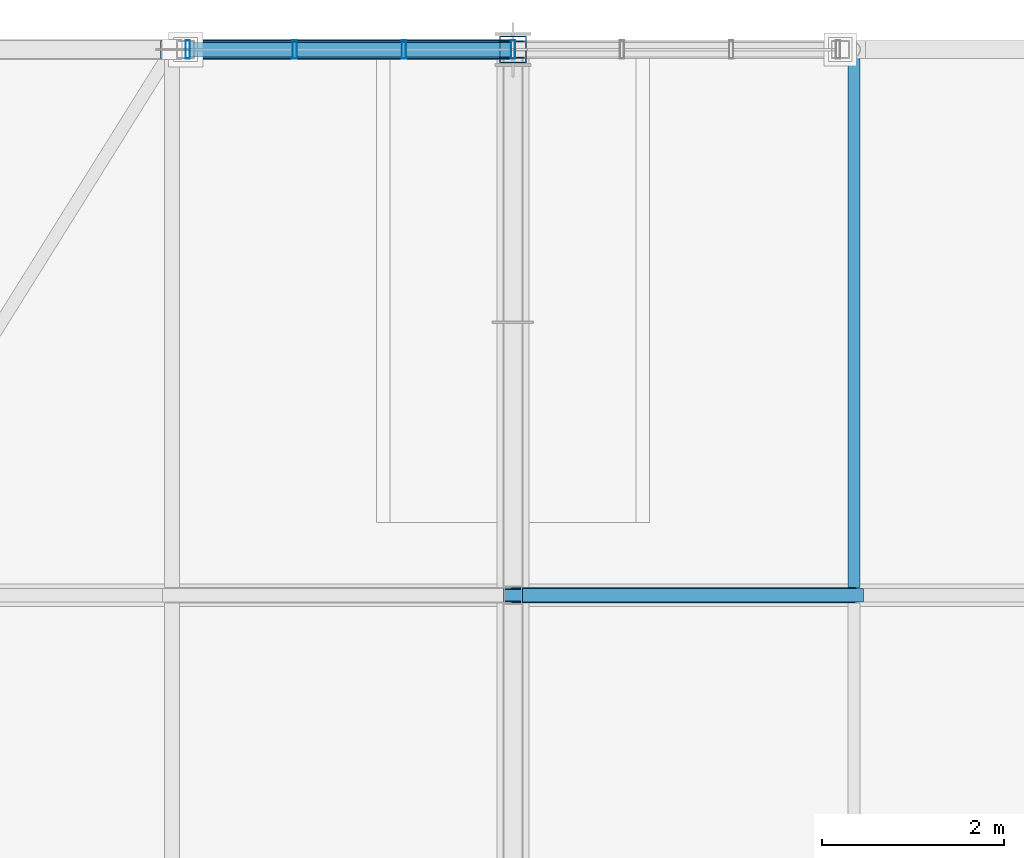
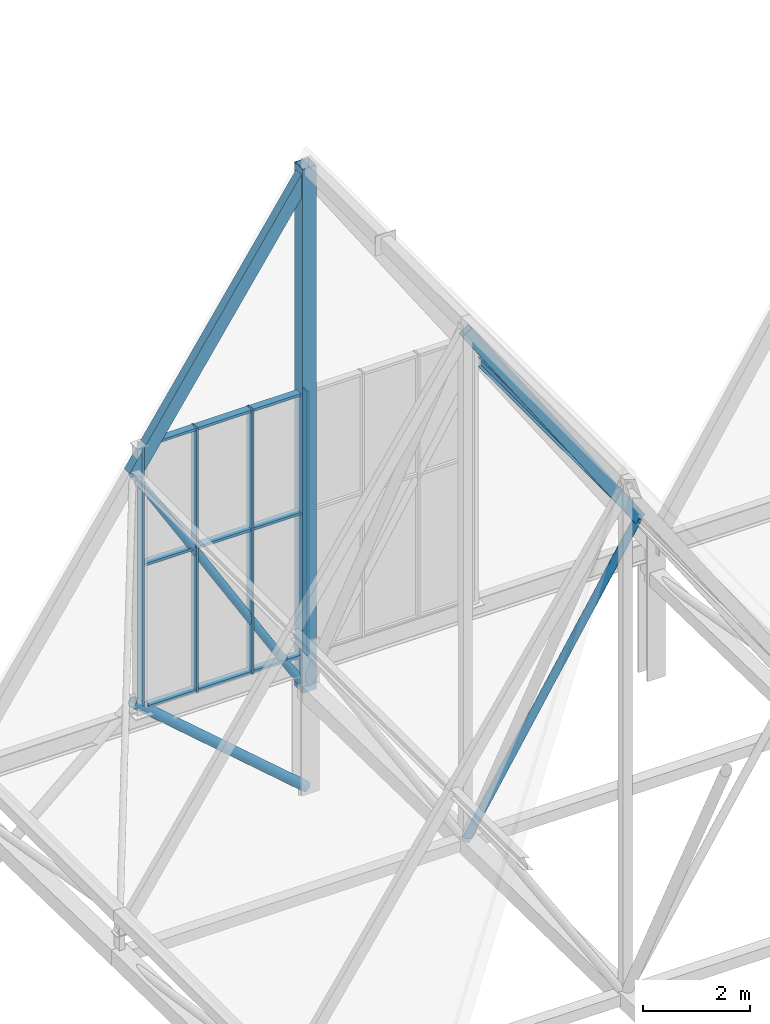
# One storey, part 108 of 324: 19 members, 1 beam, 1 element without a shape of its own.
"""IFC4 building model written with IfcOpenShell, lengths in metres."""

from ifc_helpers import new_model, si_unit, direction, frame, origin, origin_2d, place, context, subcontext, project, spatial, hollow_rectangle, hollow_circle, i_section, extrude, material, layer, layer_set, material_profile, profile_set, type_object, element, aggregate, save


model = new_model("IFC4")

# Units and contexts
model_context = context("Model", 3, precision=1e-05, world=origin(), true_north=direction((0.0, 1.0)))
body_context = subcontext(model_context, "Body", "Model", "MODEL_VIEW")
ifc_project = project(units=[si_unit("LENGTHUNIT", "METRE"), si_unit("AREAUNIT", "SQUARE_METRE"), si_unit("VOLUMEUNIT", "CUBIC_METRE"), si_unit("PLANEANGLEUNIT", "RADIAN"), si_unit("MASSUNIT", "GRAM", prefix="KILO")], contexts=[model_context])

# Site, building, storey
site_placement = place(None, origin())
site = spatial("IfcSite", under=ifc_project, at=site_placement, CompositionType="ELEMENT")
building_placement = place(site_placement, origin())
building = spatial("IfcBuilding", under=site, at=building_placement, Name="Solvenia Promenade Tram Depot", CompositionType="ELEMENT")
storey_placement = place(building_placement, frame((0.0, 0.0, 4.5)))
storey = spatial("IfcBuildingStorey", under=building, at=storey_placement, Name="L01", CompositionType="ELEMENT", Elevation=4.5)

# Member
ifc_material_1 = material(Name="Structural steel ASTM A500 Gr. C", Category="steel")
ifc_material_profile_1 = material_profile(ifc_material_1, hollow_circle(Radius=0.109619140625, WallThickness=0.008056640625, at=origin_2d()), Name="CHS219.1x8", Category="steel")
ifc_profile_set_1 = profile_set([ifc_material_profile_1], Name="Structural steel ASTM A500 Gr. C")
member_type_1 = type_object("IfcMemberType", Name="Brace-CHS219x8", PredefinedType="BRACE", material=ifc_profile_set_1)
member_1_placement = place(storey_placement, frame((7.5, 126.0, 0.050048828125), z_axis=(-0.75568908279, 0.0, 0.654930538418), x_axis=(0.0, -1.0, 0.0)))
element("IfcMember", 1, at=member_1_placement, inside=storey, type_object=member_type_1, Name="PAC-DES Chevron Brace 05R", PredefinedType="BRACE", context=body_context, shape_type="SweptSolid", body=[
    extrude(hollow_circle(Radius=0.109619140625, WallThickness=0.008056640625, at=origin_2d()), origin(), (0.0, 0.0, 1.0), 4.96240234375),
])

# Curtain wall, members
ifc_material_2 = material(Name="Anodized aluminium AW-6063 T6", Category="aluminium")
ifc_layer = layer(ifc_material_2, 0.14990234375, Name="Anodized aluminium AW-6063 T6", Category="aluminium")
ifc_layer_set = layer_set([ifc_layer], Name="Anodized aluminium AW-6063 T6")
curtain_wall_type = type_object("IfcCurtainWallType", Name="CW-Gable-1200", PredefinedType="NOTDEFINED", material=ifc_layer_set)
curtain_wall_placement = place(storey_placement, origin())
curtain_wall = element("IfcCurtainWall", 2, at=curtain_wall_placement, inside=storey, type_object=curtain_wall_type, Name="North Zigzag Gable 01 Peak Glazing", PredefinedType="NOTDEFINED")
ifc_material_profile_2 = material_profile(ifc_material_2, hollow_rectangle(XDim=0.199951171875, YDim=0.048095703125, WallThickness=0.00390625, at=origin_2d()), Name="ALU-M3", Category="aluminium")
ifc_profile_set_2 = profile_set([ifc_material_profile_2], Name="Anodized aluminium AW-6063 T6")
member_type_2 = type_object("IfcMemberType", Name="CWM-Mullion-3", PredefinedType="MULLION", material=ifc_profile_set_2)
member_2_placement = place(storey_placement, frame((3.924072265625, 126.0, 3.10009765625), z_axis=(0.0, 0.0, 1.0), x_axis=(0.0, 1.0, 0.0)))
member_2 = element("IfcMember", 3, at=member_2_placement, type_object=member_type_2, Name="CW-3 mullion 1", PredefinedType="MULLION", context=body_context, shape_type="SweptSolid", body=[
    extrude(hollow_rectangle(XDim=0.199951171875, YDim=0.048095703125, WallThickness=0.00390625, at=origin_2d()), origin(), (0.0, 0.0, 1.0), 6.0498046875),
])
member_3_placement = place(storey_placement, frame((5.10009765625, 126.0, 3.10009765625), z_axis=(0.0, 0.0, 1.0), x_axis=(0.0, 1.0, 0.0)))
member_3 = element("IfcMember", 4, at=member_3_placement, type_object=member_type_2, Name="CW-3 mullion 2", PredefinedType="MULLION", context=body_context, shape_type="SweptSolid", body=[
    extrude(hollow_rectangle(XDim=0.199951171875, YDim=0.048095703125, WallThickness=0.00390625, at=origin_2d()), origin(), (0.0, 0.0, 1.0), 6.0498046875),
])
member_4_placement = place(storey_placement, frame((6.300048828125, 126.0, 3.10009765625), z_axis=(0.0, 0.0, 1.0), x_axis=(0.0, 1.0, 0.0)))
member_4 = element("IfcMember", 5, at=member_4_placement, type_object=member_type_2, Name="CW-3 mullion 3", PredefinedType="MULLION", context=body_context, shape_type="SweptSolid", body=[
    extrude(hollow_rectangle(XDim=0.199951171875, YDim=0.048095703125, WallThickness=0.00390625, at=origin_2d()), origin(), (0.0, 0.0, 1.0), 6.0498046875),
])
member_5_placement = place(storey_placement, frame((7.5, 126.0, 3.10009765625), z_axis=(0.0, 0.0, 1.0), x_axis=(0.0, 1.0, 0.0)))
member_5 = element("IfcMember", 6, at=member_5_placement, type_object=member_type_2, Name="CW-3 mullion 4", PredefinedType="MULLION", context=body_context, shape_type="SweptSolid", body=[
    extrude(hollow_rectangle(XDim=0.199951171875, YDim=0.048095703125, WallThickness=0.00390625, at=origin_2d()), origin(), (0.0, 0.0, 1.0), 6.0498046875),
])
ifc_material_profile_3 = material_profile(ifc_material_2, hollow_rectangle(XDim=0.159912109375, YDim=0.05810546875, WallThickness=0.00390625, at=origin_2d()), Name="ALU-T3", Category="aluminium")
ifc_profile_set_3 = profile_set([ifc_material_profile_3], Name="Anodized aluminium AW-6063 T6")
member_type_3 = type_object("IfcMemberType", Name="CWT-Transom-3", PredefinedType="USERDEFINED", material=ifc_profile_set_3)
member_6_placement = place(storey_placement, frame((3.947998046875, 126.0, 3.12890625), z_axis=(1.0, 0.0, 0.0), x_axis=(0.0, 1.0, 0.0)))
member_6 = element("IfcMember", 7, at=member_6_placement, type_object=member_type_3, Name="CW-3 transom 1.1", ObjectType="TRANSOM", PredefinedType="USERDEFINED", context=body_context, shape_type="SweptSolid", body=[
    extrude(hollow_rectangle(XDim=0.159912109375, YDim=0.05810546875, WallThickness=0.00390625, at=origin_2d()), origin(), (0.0, 0.0, 1.0), 1.1279296875),
])
member_7_placement = place(storey_placement, frame((3.947998046875, 126.0, 6.39990234375), z_axis=(1.0, 0.0, 0.0), x_axis=(0.0, 1.0, 0.0)))
member_7 = element("IfcMember", 8, at=member_7_placement, type_object=member_type_3, Name="CW-3 transom 1.2", ObjectType="TRANSOM", PredefinedType="USERDEFINED", context=body_context, shape_type="SweptSolid", body=[
    extrude(hollow_rectangle(XDim=0.159912109375, YDim=0.05810546875, WallThickness=0.00390625, at=origin_2d()), origin(), (0.0, 0.0, 1.0), 1.1279296875),
])
member_8_placement = place(storey_placement, frame((3.947998046875, 126.0, 9.12109375), z_axis=(1.0, 0.0, 0.0), x_axis=(0.0, 1.0, 0.0)))
member_8 = element("IfcMember", 9, at=member_8_placement, type_object=member_type_3, Name="CW-3 transom 1.3", ObjectType="TRANSOM", PredefinedType="USERDEFINED", context=body_context, shape_type="SweptSolid", body=[
    extrude(hollow_rectangle(XDim=0.159912109375, YDim=0.05810546875, WallThickness=0.00390625, at=origin_2d()), origin(), (0.0, 0.0, 1.0), 1.1279296875),
])
member_9_placement = place(storey_placement, frame((5.1240234375, 126.0, 3.12890625), z_axis=(1.0, 0.0, 0.0), x_axis=(0.0, 1.0, 0.0)))
member_9 = element("IfcMember", 10, at=member_9_placement, type_object=member_type_3, Name="CW-3 transom 2.1", ObjectType="TRANSOM", PredefinedType="USERDEFINED", context=body_context, shape_type="SweptSolid", body=[
    extrude(hollow_rectangle(XDim=0.159912109375, YDim=0.05810546875, WallThickness=0.00390625, at=origin_2d()), origin(), (0.0, 0.0, 1.0), 1.15185546875),
])
member_10_placement = place(storey_placement, frame((5.1240234375, 126.0, 6.39990234375), z_axis=(1.0, 0.0, 0.0), x_axis=(0.0, 1.0, 0.0)))
member_10 = element("IfcMember", 11, at=member_10_placement, type_object=member_type_3, Name="CW-3 transom 2.2", ObjectType="TRANSOM", PredefinedType="USERDEFINED", context=body_context, shape_type="SweptSolid", body=[
    extrude(hollow_rectangle(XDim=0.159912109375, YDim=0.05810546875, WallThickness=0.00390625, at=origin_2d()), origin(), (0.0, 0.0, 1.0), 1.15185546875),
])
member_11_placement = place(storey_placement, frame((5.1240234375, 126.0, 9.12109375), z_axis=(1.0, 0.0, 0.0), x_axis=(0.0, 1.0, 0.0)))
member_11 = element("IfcMember", 12, at=member_11_placement, type_object=member_type_3, Name="CW-3 transom 2.3", ObjectType="TRANSOM", PredefinedType="USERDEFINED", context=body_context, shape_type="SweptSolid", body=[
    extrude(hollow_rectangle(XDim=0.159912109375, YDim=0.05810546875, WallThickness=0.00390625, at=origin_2d()), origin(), (0.0, 0.0, 1.0), 1.15185546875),
])
member_12_placement = place(storey_placement, frame((6.323974609375, 126.0, 3.12890625), z_axis=(1.0, 0.0, 0.0), x_axis=(0.0, 1.0, 0.0)))
member_12 = element("IfcMember", 13, at=member_12_placement, type_object=member_type_3, Name="CW-3 transom 3.1", ObjectType="TRANSOM", PredefinedType="USERDEFINED", context=body_context, shape_type="SweptSolid", body=[
    extrude(hollow_rectangle(XDim=0.159912109375, YDim=0.05810546875, WallThickness=0.00390625, at=origin_2d()), origin(), (0.0, 0.0, 1.0), 1.152099609375),
])
member_13_placement = place(storey_placement, frame((6.323974609375, 126.0, 6.39990234375), z_axis=(1.0, 0.0, 0.0), x_axis=(0.0, 1.0, 0.0)))
member_13 = element("IfcMember", 14, at=member_13_placement, type_object=member_type_3, Name="CW-3 transom 3.2", ObjectType="TRANSOM", PredefinedType="USERDEFINED", context=body_context, shape_type="SweptSolid", body=[
    extrude(hollow_rectangle(XDim=0.159912109375, YDim=0.05810546875, WallThickness=0.00390625, at=origin_2d()), origin(), (0.0, 0.0, 1.0), 1.152099609375),
])
member_14_placement = place(storey_placement, frame((6.323974609375, 126.0, 9.12109375), z_axis=(1.0, 0.0, 0.0), x_axis=(0.0, 1.0, 0.0)))
member_14 = element("IfcMember", 15, at=member_14_placement, type_object=member_type_3, Name="CW-3 transom 3.3", ObjectType="TRANSOM", PredefinedType="USERDEFINED", context=body_context, shape_type="SweptSolid", body=[
    extrude(hollow_rectangle(XDim=0.159912109375, YDim=0.05810546875, WallThickness=0.00390625, at=origin_2d()), origin(), (0.0, 0.0, 1.0), 1.152099609375),
])
aggregate(curtain_wall, [member_2, member_3, member_4, member_5, member_6, member_7, member_8, member_9, member_10, member_11, member_12, member_13, member_14])

# Members
ifc_material_profile_4 = material_profile(ifc_material_1, hollow_rectangle(XDim=0.14990234375, YDim=0.25, WallThickness=0.010009765625, at=origin_2d()), Name="HSS250x150x10", Category="steel")
ifc_profile_set_4 = profile_set([ifc_material_profile_4], Name="Structural steel ASTM A500 Gr. C")
member_type_4 = type_object("IfcMemberType", Name="Chord-HSS250x150x10", PredefinedType="CHORD", material=ifc_profile_set_4)
member_15_placement = place(storey_placement, frame((7.5, 120.0, 14.132080078125), z_axis=(0.557259486914, 0.0, -0.83033840345), x_axis=(0.0, 1.0, 0.0)))
element("IfcMember", 16, at=member_15_placement, inside=storey, type_object=member_type_4, Name="Zigzag Gable 01 East Upper Rafter", PredefinedType="CHORD", context=body_context, shape_type="SweptSolid", body=[
    extrude(hollow_rectangle(XDim=0.14990234375, YDim=0.25, WallThickness=0.010009765625, at=origin_2d()), origin(), (0.0, 0.0, 1.0), 6.729248046875),
])
ifc_material_profile_5 = material_profile(ifc_material_1, hollow_rectangle(XDim=0.199951171875, YDim=0.300048828125, WallThickness=0.012451171875, at=origin_2d()), Name="HSS300x200x12.5", Category="steel")
ifc_profile_set_5 = profile_set([ifc_material_profile_5], Name="Structural steel ASTM A500 Gr. C")
member_type_5 = type_object("IfcMemberType", Name="Chord-HSS300x200x12", PredefinedType="CHORD", material=ifc_profile_set_5)
member_16_placement = place(storey_placement, frame((3.75, 126.0, 8.54443359375), z_axis=(0.557259486914, 0.0, 0.83033840345), x_axis=(0.0, 1.0, 0.0)))
element("IfcMember", 17, at=member_16_placement, inside=storey, type_object=member_type_5, Name="Zigzag Gable 01 West Upper Rafter", PredefinedType="CHORD", context=body_context, shape_type="SweptSolid", body=[
    extrude(hollow_rectangle(XDim=0.199951171875, YDim=0.300048828125, WallThickness=0.012451171875, at=origin_2d()), origin(), (0.0, 0.0, 1.0), 6.729248046875),
])
ifc_material_profile_6 = material_profile(ifc_material_1, hollow_rectangle(XDim=0.300048828125, YDim=0.300048828125, WallThickness=0.012451171875, at=origin_2d()), Name="HSS300x300x12.5", Category="steel")
ifc_profile_set_6 = profile_set([ifc_material_profile_6], Name="Structural steel ASTM A500 Gr. C")
member_type_6 = type_object("IfcMemberType", Name="Chord-HSS300x300x12", PredefinedType="CHORD", material=ifc_profile_set_6)
member_17_placement = place(storey_placement, frame((7.5, 126.0, 2.320068359375), z_axis=(0.0, 0.0, 1.0), x_axis=(1.0, 0.0, 0.0)))
element("IfcMember", 18, at=member_17_placement, inside=storey, type_object=member_type_6, Name="Arched Truss T02 N End Post", PredefinedType="CHORD", context=body_context, shape_type="SweptSolid", body=[
    extrude(hollow_rectangle(XDim=0.300048828125, YDim=0.300048828125, WallThickness=0.012451171875, at=origin_2d()), origin(), (0.0, 0.0, 1.0), 12.0048828125),
])

# Beam
ifc_material_3 = material(Name="Structural steel ASTM A992 Gr. 50", Category="steel")
ifc_material_profile_7 = material_profile(ifc_material_3, i_section(OverallWidth=0.133056640625, OverallDepth=0.20703125, WebThickness=0.005859375, FlangeThickness=0.00830078125, FilletRadius=0.009033203125, at=origin_2d()), Name="W200x27", Category="steel")
ifc_profile_set_7 = profile_set([ifc_material_profile_7], Name="Structural steel ASTM A992 Gr. 50")
beam_type = type_object("IfcBeamType", Name="Purlin-W200x27", PredefinedType="USERDEFINED", material=ifc_profile_set_7)
beam_placement = place(storey_placement, frame((11.25, 120.0849609375, 8.551025390625), z_axis=(0.0, 1.0, 0.0), x_axis=(-1.0, 0.0, 0.0)))
element("IfcBeam", 19, at=beam_placement, inside=storey, type_object=beam_type, Name="Gable Roof Purlin E-0020", ObjectType="PURLIN", PredefinedType="USERDEFINED", context=body_context, shape_type="SweptSolid", body=[
    extrude(i_section(OverallWidth=0.133056640625, OverallDepth=0.20703125, WebThickness=0.005859375, FlangeThickness=0.00830078125, FilletRadius=0.009033203125, at=origin_2d()), origin(), (0.0, 0.0, 1.0), 5.830078125),
])

# Members
ifc_material_profile_8 = material_profile(ifc_material_1, hollow_circle(Radius=0.084228515625, WallThickness=0.008056640625, at=origin_2d()), Name="CHS168.3x8", Category="steel")
ifc_profile_set_8 = profile_set([ifc_material_profile_8], Name="Structural steel ASTM A500 Gr. C")
member_type_7 = type_object("IfcMemberType", Name="WebDiag-CHS168x8", PredefinedType="BRACE", material=ifc_profile_set_8)
member_18_placement = place(storey_placement, frame((7.5, 120.0, 2.446044921875), z_axis=(0.523808186258, 0.0, 0.851836242484), x_axis=(0.0, 1.0, 0.0)))
element("IfcMember", 20, at=member_18_placement, inside=storey, type_object=member_type_7, Name="Zigzag Gable 01 East Knee Strut", PredefinedType="BRACE", context=body_context, shape_type="SweptSolid", body=[
    extrude(hollow_circle(Radius=0.084228515625, WallThickness=0.008056640625, at=origin_2d()), origin(), (0.0, 0.0, 1.0), 7.1591796875),
])
member_19_placement = place(storey_placement, frame((7.5, 126.0, 2.320068359375), z_axis=(-0.516051243619, 0.0, 0.856557711984), x_axis=(0.0, -1.0, 0.0)))
element("IfcMember", 21, at=member_19_placement, inside=storey, type_object=member_type_7, Name="Zigzag Gable 01 West Knee Strut", PredefinedType="BRACE", context=body_context, shape_type="SweptSolid", body=[
    extrude(hollow_circle(Radius=0.084228515625, WallThickness=0.008056640625, at=origin_2d()), origin(), (0.0, 0.0, 1.0), 7.2666015625),
])

save(model, "model.ifc")
